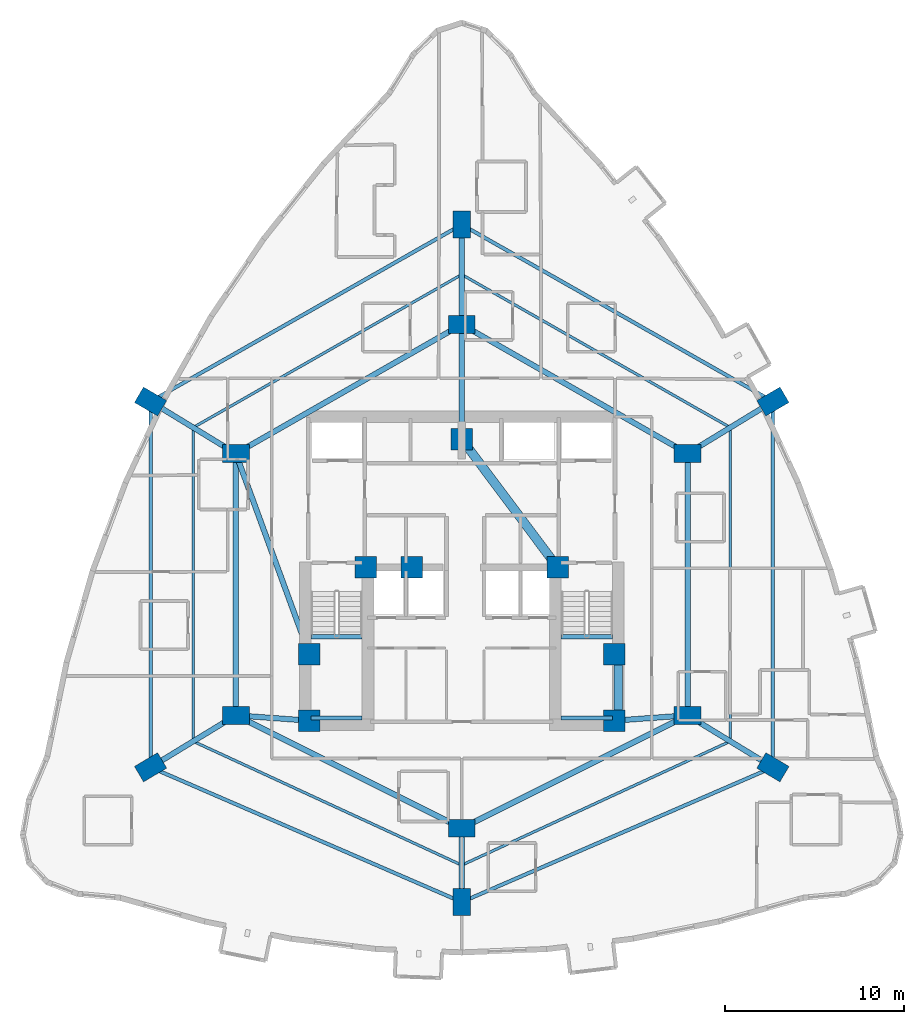
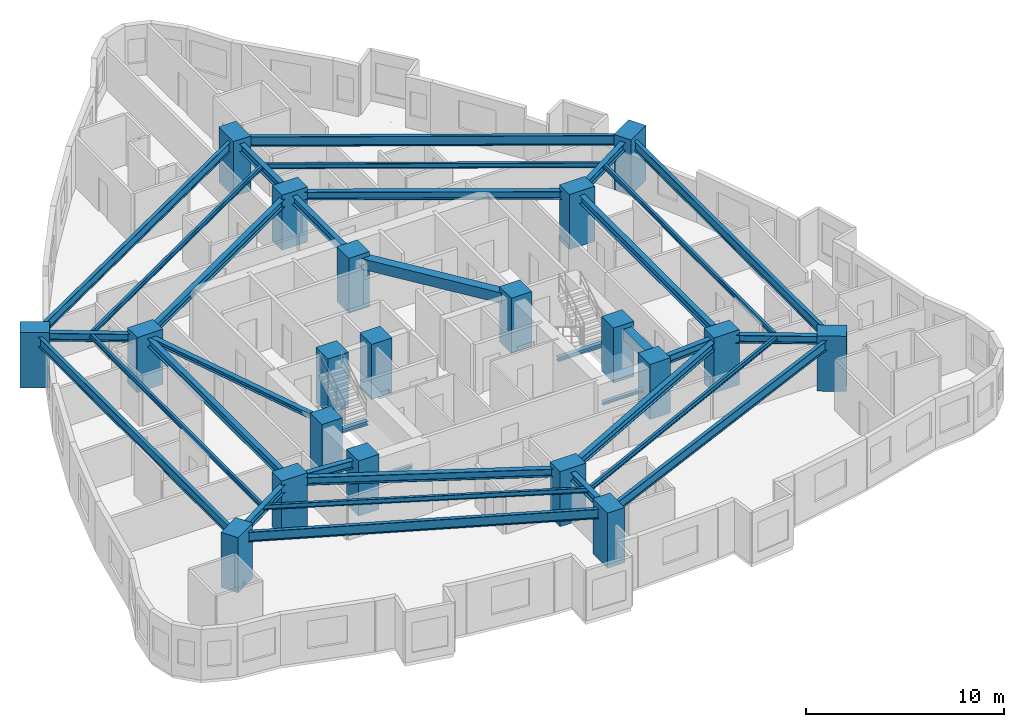
# One storey, part 1 of 13: 34 beams, 20 columns.
"""IFC4 building model written with IfcOpenShell, lengths in metres."""

import ifcopenshell
import ifcopenshell.guid

model = None  # the IFC model being written
_history = None  # IfcOwnerHistory: only IFC2X3 demands one
_inside = {}  # id of a spatial element -> (the spatial element, [elements in it])
_under = {}  # id of a project, library or spatial element -> (it, [spatial elements below it])
_declared = {}  # id of a project -> (the project, [libraries it declares])
_typed = {}  # id of a type object -> (the type object, [elements of that type])
_made_of = {}  # id of a material, layer set ... -> (it, [elements and type objects made of it])


def new_model(schema):
    """Start an empty IFC model of exactly this schema.

    Asked for "IFC4X3", IfcOpenShell would pick the latest addendum, in which some entities
    have other attributes; the version numbers below select the first issue.
    IFC2X3 requires an IfcOwnerHistory on every rooted entity: one is made here for all.
    """
    global model, _history
    if schema == "IFC4X3":
        model = ifcopenshell.file(schema_version=(4, 3, 0, 0))
    else:
        model = ifcopenshell.file(schema=schema)
    _inside.clear()
    _under.clear()
    _declared.clear()
    _typed.clear()
    _made_of.clear()
    _history = None
    if model.schema == "IFC2X3":
        org = make("IfcOrganization", Name="unknown")
        user = make(
            "IfcPersonAndOrganization",
            ThePerson=make("IfcPerson", FamilyName="unknown"),
            TheOrganization=org,
        )
        app = make(
            "IfcApplication",
            ApplicationDeveloper=org,
            Version="unknown",
            ApplicationFullName="unknown",
            ApplicationIdentifier="unknown",
        )
        _history = make(
            "IfcOwnerHistory",
            OwningUser=user,
            OwningApplication=app,
            ChangeAction="ADDED",
            CreationDate=0,
        )
    return model


def make(cls, **values):
    """One entity of the class cls with the attributes given. An attribute that is None is left unset."""
    return model.create_entity(
        cls, **{name: value for name, value in values.items() if value is not None}
    )


def rooted(cls, **values):
    """An entity with a GlobalId (a new one), such as an element, a storey or a relation."""
    return make(cls, GlobalId=ifcopenshell.guid.new(), OwnerHistory=_history, **values)


def si_unit(unit_type, name, prefix=None):
    """IfcSIUnit, for example si_unit("LENGTHUNIT", "METRE", prefix="MILLI")."""
    return make("IfcSIUnit", UnitType=unit_type, Prefix=prefix, Name=name)


def assignment(units):
    """IfcUnitAssignment: the units of a project."""
    return None if units is None else make("IfcUnitAssignment", Units=units)


def point(xyz):
    """IfcCartesianPoint."""
    return None if xyz is None else make("IfcCartesianPoint", Coordinates=xyz)


def direction(xyz):
    """IfcDirection."""
    return None if xyz is None else make("IfcDirection", DirectionRatios=xyz)


def frame(location, z_axis=None, x_axis=None):
    """IfcAxis2Placement3D, a coordinate frame: its origin and axes. An axis left out is left unset."""
    return make(
        "IfcAxis2Placement3D",
        Location=point(location),
        Axis=direction(z_axis),
        RefDirection=direction(x_axis),
    )


def frame_2d(location, x_axis=None):
    """IfcAxis2Placement2D, a coordinate frame in the plane: its origin and x axis."""
    return make(
        "IfcAxis2Placement2D", Location=point(location), RefDirection=direction(x_axis)
    )


def origin():
    """The frame at (0, 0, 0) with its axes left unset."""
    return frame((0.0, 0.0, 0.0))


def origin_2d():
    """The frame at (0, 0) in the plane with its x axis left unset."""
    return frame_2d((0.0, 0.0))


def place(relative_to, where):
    """IfcLocalPlacement: puts the frame where relative to a parent placement (None: the world)."""
    return make(
        "IfcLocalPlacement", PlacementRelTo=relative_to, RelativePlacement=where
    )


def context(
    kind, dimensions, precision=None, world=None, true_north=None, identifier=None
):
    """IfcGeometricRepresentationContext, for example the 3D "Model" context."""
    return make(
        "IfcGeometricRepresentationContext",
        ContextIdentifier=identifier,
        ContextType=kind,
        CoordinateSpaceDimension=dimensions,
        Precision=precision,
        WorldCoordinateSystem=world,
        TrueNorth=true_north,
    )


def subcontext(parent, identifier, kind, view, scale=None):
    """IfcGeometricRepresentationSubContext, for example "Body" below "Model"."""
    return make(
        "IfcGeometricRepresentationSubContext",
        ContextIdentifier=identifier,
        ContextType=kind,
        ParentContext=parent,
        TargetScale=scale,
        TargetView=view,
    )


def project(units=None, contexts=None):
    """IfcProject with its units and contexts."""
    return rooted(
        "IfcProject",
        Name="project",
        RepresentationContexts=contexts,
        UnitsInContext=assignment(units),
    )


def spatial(cls, under=None, at=None, **own):
    """A site, building, storey or space (cls), placed at a placement, below another one or the project."""
    s = rooted(cls, ObjectPlacement=at, **own)
    if under is not None:
        _under.setdefault(under.id(), (under, []))[1].append(s)
    return s


def profile(cls, at=None, kind="AREA", **sizes):
    """A parametric profile (cls). Its sizes go by their IFC names, for example OverallWidth=200.0."""
    return make(cls, ProfileType=kind, Position=at, **sizes)


def rectangle(**sizes):
    """IfcRectangleProfileDef."""
    return profile("IfcRectangleProfileDef", **sizes)


def i_section(**sizes):
    """IfcIShapeProfileDef."""
    return profile("IfcIShapeProfileDef", **sizes)


def extrude(swept, where, along, depth):
    """IfcExtrudedAreaSolid: the profile swept, set in the frame where, extruded along a direction by depth."""
    return make(
        "IfcExtrudedAreaSolid",
        SweptArea=swept,
        Position=where,
        ExtrudedDirection=direction(along),
        Depth=depth,
    )


def shape(context_of_items, identifier, shape_type, items):
    """IfcShapeRepresentation: the items that make up one representation, for example the "Body"."""
    return make(
        "IfcShapeRepresentation",
        ContextOfItems=context_of_items,
        RepresentationIdentifier=identifier,
        RepresentationType=shape_type,
        Items=items,
    )


def material(Name=None, Category=None):
    """IfcMaterial."""
    return make("IfcMaterial", Name=Name, Category=Category)


def material_profile(
    of_material, cross_section, Name=None, Category=None, Priority=None
):
    """IfcMaterialProfile: a cross section and its material."""
    return make(
        "IfcMaterialProfile",
        Name=Name,
        Material=of_material,
        Profile=cross_section,
        Priority=Priority,
        Category=Category,
    )


def profile_set(profiles, Name=None, composite=None):
    """IfcMaterialProfileSet."""
    return make(
        "IfcMaterialProfileSet",
        Name=Name,
        MaterialProfiles=profiles,
        CompositeProfile=composite,
    )


def made_of(thing, what):
    """Note that an element or type object is made of a material, layer set ...; save() writes the relation."""
    if what is not None:
        _made_of.setdefault(what.id(), (what, []))[1].append(thing)
    return thing


def type_object(cls, material=None, **own):
    """A type object (cls), such as IfcWallType, which elements share."""
    return made_of(rooted(cls, **own), material)


def element(
    cls,
    number,
    at=None,
    inside=None,
    cuts=None,
    type_object=None,
    material=None,
    context=None,
    identifier="Body",
    shape_type=None,
    held_by="IfcProductDefinitionShape",
    body=None,
    shapes=None,
    **own,
):
    """One element of the class cls, such as IfcWall. Its Tag is "e" and its number.

    at: its placement. inside: the storey or other place that contains it. cuts: it is an
    opening in that element (IfcRelVoidsElement). A single representation is given by context,
    identifier, shape_type and body (its items); several are given by shapes. held_by: the class
    of the entity that holds the representations. save() writes the other relations.
    """
    e = rooted(cls, Tag="e%d" % number, ObjectPlacement=at, **own)
    if body is not None:
        shapes = [shape(context, identifier, shape_type, body)]
    if shapes is not None:
        e.Representation = make(held_by, Representations=shapes)
    if inside is not None:
        _inside.setdefault(inside.id(), (inside, []))[1].append(e)
    if cuts is not None:
        rooted(
            "IfcRelVoidsElement", RelatingBuildingElement=cuts, RelatedOpeningElement=e
        )
    if type_object is not None:
        _typed.setdefault(type_object.id(), (type_object, []))[1].append(e)
    return made_of(e, material)


def aggregate(whole, parts):
    """IfcRelAggregates: a whole, such as a stair, and the parts it consists of."""
    return rooted("IfcRelAggregates", RelatingObject=whole, RelatedObjects=parts)


def save(model, path):
    """Write the relations noted so far, then the file.

    IfcRelAggregates (storeys below a building ...), IfcRelContainedInSpatialStructure (elements
    in a storey), IfcRelDefinesByType, IfcRelAssociatesMaterial and IfcRelDeclares: one each for
    every whole, place, type object, material and project.
    """
    for whole, parts in _under.values():
        aggregate(whole, parts)
    for where, things in _inside.values():
        rooted(
            "IfcRelContainedInSpatialStructure",
            RelatedElements=things,
            RelatingStructure=where,
        )
    for kind, things in _typed.values():
        rooted("IfcRelDefinesByType", RelatedObjects=things, RelatingType=kind)
    for what, things in _made_of.values():
        rooted("IfcRelAssociatesMaterial", RelatedObjects=things, RelatingMaterial=what)
    for by, libraries in _declared.values():
        rooted("IfcRelDeclares", RelatingContext=by, RelatedDefinitions=libraries)
    model.write(path)


model = new_model("IFC4")

# Units and contexts
model_context = context("Model", 3, precision=1e-05, world=origin(), true_north=direction((0.0, 1.0)))
body_context = subcontext(model_context, "Body", "Model", "MODEL_VIEW")
ifc_project = project(units=[si_unit("LENGTHUNIT", "METRE"), si_unit("AREAUNIT", "SQUARE_METRE"), si_unit("VOLUMEUNIT", "CUBIC_METRE"), si_unit("PLANEANGLEUNIT", "RADIAN"), si_unit("MASSUNIT", "GRAM", prefix="KILO")], contexts=[model_context])

# Site, building, storey
site_placement = place(None, origin())
site = spatial("IfcSite", under=ifc_project, at=site_placement, CompositionType="ELEMENT")
building_placement = place(site_placement, origin())
building = spatial("IfcBuilding", under=site, at=building_placement, Name="Miruveldt Soraemaru", CompositionType="ELEMENT")
storey_placement = place(building_placement, frame((0.0, 0.0, 59.800048828125)))
storey = spatial("IfcBuildingStorey", under=building, at=storey_placement, Name="L16", CompositionType="ELEMENT", Elevation=59.800048828125)

# Columns
ifc_material_1 = material(Name="Concrete C70/85 (70 MPa)", Category="concrete")
ifc_material_profile_1 = material_profile(ifc_material_1, rectangle(XDim=1.199951171875, YDim=1.199951171875, at=origin_2d()), Name="Concrete C70/85 (70 MPa)", Category="concrete")
ifc_profile_set_1 = profile_set([ifc_material_profile_1], Name="Concrete C70/85 (70 MPa)")
column_type_1 = type_object("IfcColumnType", Name="COL-CORE-1200", PredefinedType="COLUMN", material=ifc_profile_set_1)
for number, where, z_axis, x_axis, name in (
    (1, (35.5, 35.5, 0.0), (0.0, 0.0, 1.0), (1.0, 0.0, 0.0), "L16 Structural Column CC1"),
    (2, (38.64990234375, 44.050048828125, 0.0), (0.0, 0.0, 1.0), (1.0, 0.0, 0.0), "L16 Structural Column CC2"),
    (3, (52.5, 35.5, 0.0), (0.0, 0.0, 1.0), (1.0, 0.0, 0.0), "L16 Structural Column CC3"),
    (4, (52.5, 39.199951171875, 0.0), (0.0, 0.0, 1.0), (1.0, 0.0, 0.0), "L16 Structural Column CC4"),
    (5, (49.35009765625, 44.050048828125, 0.0), (0.0, 0.0, 1.0), (1.0, 0.0, 0.0), "L16 Structural Column CC5"),
    (6, (44.0, 51.199951171875, 0.0), (0.0, 0.0, 1.0), (1.0, 0.0, 0.0), "L16 Structural Column CC6"),
    (7, (35.5, 39.199951171875, 0.0), (0.0, 0.0, 1.0), (1.0, 0.0, 0.0), "L16 Structural Column CC7"),
    (8, (41.199951171875, 44.050048828125, 0.0), (0.0, 0.0, 1.0), (1.0, 0.0, 0.0), "L16 Structural Column CC8"),
):
    element("IfcColumn", number, at=place(storey_placement, frame(where, z_axis=z_axis, x_axis=x_axis)), inside=storey, type_object=column_type_1, Name=name, PredefinedType="COLUMN", context=body_context, shape_type="SweptSolid", body=[
        extrude(rectangle(XDim=1.199951171875, YDim=1.199951171875, at=origin_2d()), origin(), (0.0, 0.0, 1.0), 3.39990234375),
    ])
ifc_material_2 = material(Name="Concrete C80/95 (80 MPa)", Category="concrete")
ifc_material_profile_2 = material_profile(ifc_material_2, rectangle(XDim=1.5, YDim=1.0, at=origin_2d()), Name="Concrete C80/95 (80 MPa)", Category="concrete")
ifc_profile_set_2 = profile_set([ifc_material_profile_2], Name="Concrete C80/95 (80 MPa)")
column_type_2 = type_object("IfcColumnType", Name="COL-TW-Z1A", PredefinedType="COLUMN", material=ifc_profile_set_2)
for number, where, z_axis, x_axis, name in (
    (9, (44.0, 57.60009765625, 0.0), (0.0, 0.0, 1.0), (1.0, 0.0, 0.0), "L16 Structural Column IR01"),
    (10, (56.60009765625, 50.39990234375, 0.0), (0.0, 0.0, 1.0), (1.0, 0.0, 0.0), "L16 Structural Column IR02"),
    (11, (56.60009765625, 35.800048828125, 0.0), (0.0, 0.0, 1.0), (1.0, 0.0, 0.0), "L16 Structural Column IR03"),
    (12, (44.0, 29.5, 0.0), (0.0, 0.0, 1.0), (1.0, 0.0, 0.0), "L16 Structural Column IR04"),
    (13, (31.39990234375, 35.800048828125, 0.0), (0.0, 0.0, 1.0), (1.0, 0.0, 0.0), "L16 Structural Column IR05"),
    (14, (31.39990234375, 50.39990234375, 0.0), (0.0, 0.0, 1.0), (1.0, 0.0, 0.0), "L16 Structural Column IR06"),
    (15, (44.0, 63.16796875, 0.0), (0.0, 0.0, 1.0), (0.0, 1.0, 0.0), "L16 Structural Column Z1P01"),
    (16, (61.35595703125, 53.300048828125, 0.0), (0.0, 0.0, 1.0), (0.864274801954, 0.50301994663, 0.0), "L16 Structural Column Z1P02"),
    (17, (61.35595703125, 32.89990234375, 0.0), (0.0, 0.0, 1.0), (-0.859852271597, 0.510542917912, 0.0), "L16 Structural Column Z1P03"),
    (18, (44.0, 25.382080078125, 0.0), (0.0, 0.0, 1.0), (0.0, 1.0, 0.0), "L16 Structural Column Z1P04"),
    (19, (26.64404296875, 32.89990234375, 0.0), (0.0, 0.0, 1.0), (0.859852271597, 0.510542917912, 0.0), "L16 Structural Column Z1P05"),
    (20, (26.64404296875, 53.300048828125, 0.0), (0.0, 0.0, 1.0), (-0.864274801954, 0.50301994663, 0.0), "L16 Structural Column Z1P06"),
):
    element("IfcColumn", number, at=place(storey_placement, frame(where, z_axis=z_axis, x_axis=x_axis)), inside=storey, type_object=column_type_2, Name=name, PredefinedType="COLUMN", context=body_context, shape_type="SweptSolid", body=[
        extrude(rectangle(XDim=1.5, YDim=1.0, at=origin_2d()), origin(), (0.0, 0.0, 1.0), 3.39990234375),
    ])

# Beams
ifc_material_3 = material(Name="Steel SM355 (355 MPa)", Category="steel")
ifc_material_profile_3 = material_profile(ifc_material_3, i_section(OverallWidth=0.300048828125, OverallDepth=0.300048828125, WebThickness=0.010009765625, FlangeThickness=0.014892578125, FilletRadius=0.01806640625, at=origin_2d()), Name="Steel SM355 (355 MPa)", Category="steel")
ifc_profile_set_3 = profile_set([ifc_material_profile_3], Name="Steel SM355 (355 MPa)")
beam_type_1 = type_object("IfcBeamType", Name="BM-LNT-H300", PredefinedType="LINTEL", material=ifc_profile_set_3)
beam_1_placement = place(storey_placement, frame((31.39990234375, 50.39990234375, 2.974853515625), z_axis=(0.343770424598, -0.939053723262, 0.0), x_axis=(0.939053723262, 0.343770424598, 0.0)))
element("IfcBeam", 21, at=beam_1_placement, inside=storey, type_object=beam_type_1, Name="L16 West Lobby Lintel", PredefinedType="LINTEL", context=body_context, shape_type="SweptSolid", body=[
    extrude(i_section(OverallWidth=0.300048828125, OverallDepth=0.300048828125, WebThickness=0.010009765625, FlangeThickness=0.014892578125, FilletRadius=0.01806640625, at=origin_2d()), origin(), (0.0, 0.0, 1.0), 11.9267578125),
])
ifc_material_4 = material(Name="Concrete C50/60 (50 MPa)", Category="concrete")
ifc_material_profile_4 = material_profile(ifc_material_4, rectangle(XDim=0.5, YDim=0.64990234375, at=origin_2d()), Name="Concrete C50/60 (50 MPa)", Category="concrete")
ifc_profile_set_4 = profile_set([ifc_material_profile_4], Name="Concrete C50/60 (50 MPa)")
beam_type_2 = type_object("IfcBeamType", Name="BM-RC-500x650", PredefinedType="BEAM", material=ifc_profile_set_4)
beam_2_placement = place(storey_placement, frame((52.72998046875, 35.5, 2.800048828125), z_axis=(0.0, 1.0, 0.0), x_axis=(-1.0, 0.0, 0.0)))
element("IfcBeam", 22, at=beam_2_placement, inside=storey, type_object=beam_type_2, Name="L16 Core Tie Beam 3", PredefinedType="BEAM", context=body_context, shape_type="SweptSolid", body=[
    extrude(rectangle(XDim=0.5, YDim=0.64990234375, at=origin_2d()), origin(), (0.0, 0.0, 1.0), 3.699951171875),
])
beam_3_placement = place(storey_placement, frame((49.35009765625, 44.050048828125, 2.800048828125), z_axis=(-0.599116023999, 0.800662219533, 0.0), x_axis=(-0.800662219533, -0.599116023999, 0.0)))
element("IfcBeam", 23, at=beam_3_placement, inside=storey, type_object=beam_type_2, Name="L16 Core Tie Beam 5", PredefinedType="BEAM", context=body_context, shape_type="SweptSolid", body=[
    extrude(rectangle(XDim=0.5, YDim=0.64990234375, at=origin_2d()), origin(), (0.0, 0.0, 1.0), 8.929931640625),
])
ifc_material_profile_5 = material_profile(ifc_material_3, i_section(OverallWidth=0.14990234375, OverallDepth=0.300048828125, WebThickness=0.006591796875, FlangeThickness=0.009033203125, FilletRadius=0.012939453125, at=origin_2d()), Name="Steel SM355 (355 MPa)", Category="steel")
ifc_profile_set_5 = profile_set([ifc_material_profile_5], Name="Steel SM355 (355 MPa)")
beam_type_3 = type_object("IfcBeamType", Name="BM-ST-H300", PredefinedType="JOIST", material=ifc_profile_set_5)
beam_4_placement = place(storey_placement, frame((44.0, 60.384033203125, 2.974853515625), z_axis=(0.868865604585, -0.495048039254, 0.0), x_axis=(0.495048039254, 0.868865604585, 0.0)))
element("IfcBeam", 24, at=beam_4_placement, inside=storey, type_object=beam_type_3, Name="L16 Outer Bay Floor Joist 1", PredefinedType="JOIST", context=body_context, shape_type="SweptSolid", body=[
    extrude(i_section(OverallWidth=0.14990234375, OverallDepth=0.300048828125, WebThickness=0.006591796875, FlangeThickness=0.009033203125, FilletRadius=0.012939453125, at=origin_2d()), origin(), (0.0, 0.0, 1.0), 17.238525390625),
])
beam_5_placement = place(storey_placement, frame((58.97802734375, 51.85009765625, 2.974853515625), z_axis=(0.0, -1.0, 0.0), x_axis=(1.0, 0.0, 0.0)))
element("IfcBeam", 25, at=beam_5_placement, inside=storey, type_object=beam_type_3, Name="L16 Outer Bay Floor Joist 2", PredefinedType="JOIST", context=body_context, shape_type="SweptSolid", body=[
    extrude(i_section(OverallWidth=0.14990234375, OverallDepth=0.300048828125, WebThickness=0.006591796875, FlangeThickness=0.009033203125, FilletRadius=0.012939453125, at=origin_2d()), origin(), (0.0, 0.0, 1.0), 17.5),
])
for number, where, z_axis, x_axis, name in (
    (26, (58.97802734375, 34.35009765625, 2.974853515625), (-0.908046005539, -0.418870447543, 0.0), (0.418870447543, -0.908046005539, 0.0), "L16 Outer Bay Floor Joist 3"),
    (27, (44.0, 27.44091796875, 2.974853515625), (-0.908046005539, 0.418870447543, 0.0), (-0.418870447543, -0.908046005539, 0.0), "L16 Outer Bay Floor Joist 4"),
):
    element("IfcBeam", number, at=place(storey_placement, frame(where, z_axis=z_axis, x_axis=x_axis)), inside=storey, type_object=beam_type_3, Name=name, PredefinedType="JOIST", context=body_context, shape_type="SweptSolid", body=[
        extrude(i_section(OverallWidth=0.14990234375, OverallDepth=0.300048828125, WebThickness=0.006591796875, FlangeThickness=0.009033203125, FilletRadius=0.012939453125, at=origin_2d()), origin(), (0.0, 0.0, 1.0), 16.494873046875),
    ])
beam_6_placement = place(storey_placement, frame((29.02197265625, 34.35009765625, 2.974853515625), z_axis=(0.0, 1.0, 0.0), x_axis=(-1.0, 0.0, 0.0)))
element("IfcBeam", 28, at=beam_6_placement, inside=storey, type_object=beam_type_3, Name="L16 Outer Bay Floor Joist 5", PredefinedType="JOIST", context=body_context, shape_type="SweptSolid", body=[
    extrude(i_section(OverallWidth=0.14990234375, OverallDepth=0.300048828125, WebThickness=0.006591796875, FlangeThickness=0.009033203125, FilletRadius=0.012939453125, at=origin_2d()), origin(), (0.0, 0.0, 1.0), 17.5),
])
beam_7_placement = place(storey_placement, frame((29.02197265625, 51.85009765625, 2.974853515625), z_axis=(0.868865604585, 0.495048039254, 0.0), x_axis=(-0.495048039254, 0.868865604585, 0.0)))
element("IfcBeam", 29, at=beam_7_placement, inside=storey, type_object=beam_type_3, Name="L16 Outer Bay Floor Joist 6", PredefinedType="JOIST", context=body_context, shape_type="SweptSolid", body=[
    extrude(i_section(OverallWidth=0.14990234375, OverallDepth=0.300048828125, WebThickness=0.006591796875, FlangeThickness=0.009033203125, FilletRadius=0.012939453125, at=origin_2d()), origin(), (0.0, 0.0, 1.0), 17.238525390625),
])
ifc_material_profile_6 = material_profile(ifc_material_3, i_section(OverallWidth=0.300048828125, OverallDepth=0.488037109375, WebThickness=0.010986328125, FlangeThickness=0.01806640625, FilletRadius=0.02587890625, at=origin_2d()), Name="Steel SM355 (355 MPa)", Category="steel")
ifc_profile_set_6 = profile_set([ifc_material_profile_6], Name="Steel SM355 (355 MPa)")
beam_type_4 = type_object("IfcBeamType", Name="BM-ST-H488", PredefinedType="BEAM", material=ifc_profile_set_6)
beam_8_placement = place(storey_placement, frame((44.0, 57.60009765625, 2.880859375), z_axis=(0.868239001029, -0.496146185203, 0.0), x_axis=(0.496146185203, 0.868239001029, 0.0)))
element("IfcBeam", 30, at=beam_8_placement, inside=storey, type_object=beam_type_4, Name="L16 Inner Ring Girder 1", PredefinedType="BEAM", context=body_context, shape_type="SweptSolid", body=[
    extrude(i_section(OverallWidth=0.300048828125, OverallDepth=0.488037109375, WebThickness=0.010986328125, FlangeThickness=0.01806640625, FilletRadius=0.02587890625, at=origin_2d()), origin(), (0.0, 0.0, 1.0), 14.51220703125),
])
beam_9_placement = place(storey_placement, frame((44.0, 51.199951171875, 2.880859375), z_axis=(0.0, 1.0, 0.0), x_axis=(-1.0, 0.0, 0.0)))
element("IfcBeam", 31, at=beam_9_placement, inside=storey, type_object=beam_type_4, Name="L16 Core-to-Inner Radial Girder 1", PredefinedType="BEAM", context=body_context, shape_type="SweptSolid", body=[
    extrude(i_section(OverallWidth=0.300048828125, OverallDepth=0.488037109375, WebThickness=0.010986328125, FlangeThickness=0.01806640625, FilletRadius=0.02587890625, at=origin_2d()), origin(), (0.0, 0.0, 1.0), 6.400146484375),
])
beam_10_placement = place(storey_placement, frame((56.60009765625, 50.39990234375, 2.880859375), z_axis=(0.0, -1.0, 0.0), x_axis=(1.0, 0.0, 0.0)))
element("IfcBeam", 32, at=beam_10_placement, inside=storey, type_object=beam_type_4, Name="L16 Inner Ring Girder 2", PredefinedType="BEAM", context=body_context, shape_type="SweptSolid", body=[
    extrude(i_section(OverallWidth=0.300048828125, OverallDepth=0.488037109375, WebThickness=0.010986328125, FlangeThickness=0.01806640625, FilletRadius=0.02587890625, at=origin_2d()), origin(), (0.0, 0.0, 1.0), 14.599853515625),
])
beam_11_placement = place(storey_placement, frame((56.60009765625, 35.800048828125, 2.880859375), z_axis=(-0.894427191, -0.4472135955, 0.0), x_axis=(0.4472135955, -0.894427191, 0.0)))
element("IfcBeam", 33, at=beam_11_placement, inside=storey, type_object=beam_type_4, Name="L16 Inner Ring Girder 3", PredefinedType="BEAM", context=body_context, shape_type="SweptSolid", body=[
    extrude(i_section(OverallWidth=0.300048828125, OverallDepth=0.488037109375, WebThickness=0.010986328125, FlangeThickness=0.01806640625, FilletRadius=0.02587890625, at=origin_2d()), origin(), (0.0, 0.0, 1.0), 14.08740234375),
])
beam_12_placement = place(storey_placement, frame((52.5, 35.5, 2.880859375), z_axis=(0.997332985605, 0.072985723431, 0.0), x_axis=(-0.072985723431, 0.997332985605, 0.0)))
element("IfcBeam", 34, at=beam_12_placement, inside=storey, type_object=beam_type_4, Name="L16 Core-to-Inner Radial Girder 3", PredefinedType="BEAM", context=body_context, shape_type="SweptSolid", body=[
    extrude(i_section(OverallWidth=0.300048828125, OverallDepth=0.488037109375, WebThickness=0.010986328125, FlangeThickness=0.01806640625, FilletRadius=0.02587890625, at=origin_2d()), origin(), (0.0, 0.0, 1.0), 4.111083984375),
])
beam_13_placement = place(storey_placement, frame((44.0, 29.5, 2.880859375), z_axis=(-0.894427191, 0.4472135955, 0.0), x_axis=(-0.4472135955, -0.894427191, 0.0)))
element("IfcBeam", 35, at=beam_13_placement, inside=storey, type_object=beam_type_4, Name="L16 Inner Ring Girder 4", PredefinedType="BEAM", context=body_context, shape_type="SweptSolid", body=[
    extrude(i_section(OverallWidth=0.300048828125, OverallDepth=0.488037109375, WebThickness=0.010986328125, FlangeThickness=0.01806640625, FilletRadius=0.02587890625, at=origin_2d()), origin(), (0.0, 0.0, 1.0), 14.08740234375),
])
beam_14_placement = place(storey_placement, frame((31.39990234375, 35.800048828125, 2.880859375), z_axis=(0.0, 1.0, 0.0), x_axis=(-1.0, 0.0, 0.0)))
element("IfcBeam", 36, at=beam_14_placement, inside=storey, type_object=beam_type_4, Name="L16 Inner Ring Girder 5", PredefinedType="BEAM", context=body_context, shape_type="SweptSolid", body=[
    extrude(i_section(OverallWidth=0.300048828125, OverallDepth=0.488037109375, WebThickness=0.010986328125, FlangeThickness=0.01806640625, FilletRadius=0.02587890625, at=origin_2d()), origin(), (0.0, 0.0, 1.0), 14.599853515625),
])
beam_15_placement = place(storey_placement, frame((35.5, 35.5, 2.880859375), z_axis=(-0.997332985605, 0.072985723431, 0.0), x_axis=(-0.072985723431, -0.997332985605, 0.0)))
element("IfcBeam", 37, at=beam_15_placement, inside=storey, type_object=beam_type_4, Name="L16 Core-to-Inner Radial Girder 5", PredefinedType="BEAM", context=body_context, shape_type="SweptSolid", body=[
    extrude(i_section(OverallWidth=0.300048828125, OverallDepth=0.488037109375, WebThickness=0.010986328125, FlangeThickness=0.01806640625, FilletRadius=0.02587890625, at=origin_2d()), origin(), (0.0, 0.0, 1.0), 4.111083984375),
])
beam_16_placement = place(storey_placement, frame((31.39990234375, 50.39990234375, 2.880859375), z_axis=(0.868239001029, 0.496146185203, 0.0), x_axis=(-0.496146185203, 0.868239001029, 0.0)))
element("IfcBeam", 38, at=beam_16_placement, inside=storey, type_object=beam_type_4, Name="L16 Inner Ring Girder 6", PredefinedType="BEAM", context=body_context, shape_type="SweptSolid", body=[
    extrude(i_section(OverallWidth=0.300048828125, OverallDepth=0.488037109375, WebThickness=0.010986328125, FlangeThickness=0.01806640625, FilletRadius=0.02587890625, at=origin_2d()), origin(), (0.0, 0.0, 1.0), 14.51220703125),
])
beam_17_placement = place(storey_placement, frame((44.0, 57.60009765625, 2.880859375), z_axis=(0.0, 1.0, 0.0), x_axis=(-1.0, 0.0, 0.0)))
element("IfcBeam", 39, at=beam_17_placement, inside=storey, type_object=beam_type_4, Name="L16 Zone-1 Radial Girder 1", PredefinedType="BEAM", context=body_context, shape_type="SweptSolid", body=[
    extrude(i_section(OverallWidth=0.300048828125, OverallDepth=0.488037109375, WebThickness=0.010986328125, FlangeThickness=0.01806640625, FilletRadius=0.02587890625, at=origin_2d()), origin(), (0.0, 0.0, 1.0), 5.56787109375),
])
for number, where, z_axis, x_axis, name in (
    (40, (56.60009765625, 50.39990234375, 2.880859375), (0.853777644156, 0.520637814935, 0.0), (-0.520637814935, 0.853777644156, 0.0), "L16 Zone-1 Radial Girder 2"),
    (41, (56.60009765625, 35.800048828125, 2.880859375), (0.853777644156, -0.520637814935, 0.0), (0.520637814935, 0.853777644156, 0.0), "L16 Zone-1 Radial Girder 3"),
):
    element("IfcBeam", number, at=place(storey_placement, frame(where, z_axis=z_axis, x_axis=x_axis)), inside=storey, type_object=beam_type_4, Name=name, PredefinedType="BEAM", context=body_context, shape_type="SweptSolid", body=[
        extrude(i_section(OverallWidth=0.300048828125, OverallDepth=0.488037109375, WebThickness=0.010986328125, FlangeThickness=0.01806640625, FilletRadius=0.02587890625, at=origin_2d()), origin(), (0.0, 0.0, 1.0), 5.5703125),
    ])
beam_18_placement = place(storey_placement, frame((44.0, 29.5, 2.880859375), z_axis=(0.0, -1.0, 0.0), x_axis=(1.0, 0.0, 0.0)))
element("IfcBeam", 42, at=beam_18_placement, inside=storey, type_object=beam_type_4, Name="L16 Zone-1 Radial Girder 4", PredefinedType="BEAM", context=body_context, shape_type="SweptSolid", body=[
    extrude(i_section(OverallWidth=0.300048828125, OverallDepth=0.488037109375, WebThickness=0.010986328125, FlangeThickness=0.01806640625, FilletRadius=0.02587890625, at=origin_2d()), origin(), (0.0, 0.0, 1.0), 4.117919921875),
])
for number, where, z_axis, x_axis, name in (
    (43, (31.39990234375, 35.800048828125, 2.880859375), (-0.853777644156, -0.520637814935, 0.0), (0.520637814935, -0.853777644156, 0.0), "L16 Zone-1 Radial Girder 5"),
    (44, (31.39990234375, 50.39990234375, 2.880859375), (-0.853777644156, 0.520637814935, 0.0), (-0.520637814935, -0.853777644156, 0.0), "L16 Zone-1 Radial Girder 6"),
):
    element("IfcBeam", number, at=place(storey_placement, frame(where, z_axis=z_axis, x_axis=x_axis)), inside=storey, type_object=beam_type_4, Name=name, PredefinedType="BEAM", context=body_context, shape_type="SweptSolid", body=[
        extrude(i_section(OverallWidth=0.300048828125, OverallDepth=0.488037109375, WebThickness=0.010986328125, FlangeThickness=0.01806640625, FilletRadius=0.02587890625, at=origin_2d()), origin(), (0.0, 0.0, 1.0), 5.5703125),
    ])
ifc_material_profile_7 = material_profile(ifc_material_3, i_section(OverallWidth=0.199951171875, OverallDepth=0.60009765625, WebThickness=0.010986328125, FlangeThickness=0.01708984375, FilletRadius=0.02197265625, at=origin_2d()), Name="Steel SM355 (355 MPa)", Category="steel")
ifc_profile_set_7 = profile_set([ifc_material_profile_7], Name="Steel SM355 (355 MPa)")
beam_type_5 = type_object("IfcBeamType", Name="BM-ST-H600", PredefinedType="SPANDREL", material=ifc_profile_set_7)
beam_19_placement = place(storey_placement, frame((44.0, 63.16796875, 2.824951171875), z_axis=(0.869314947608, -0.494258557706, 0.0), x_axis=(0.494258557706, 0.869314947608, 0.0)))
element("IfcBeam", 45, at=beam_19_placement, inside=storey, type_object=beam_type_5, Name="L16 Zone-1 Spandrel Beam 1", PredefinedType="SPANDREL", context=body_context, shape_type="SweptSolid", body=[
    extrude(i_section(OverallWidth=0.199951171875, OverallDepth=0.60009765625, WebThickness=0.010986328125, FlangeThickness=0.01708984375, FilletRadius=0.02197265625, at=origin_2d()), origin(), (0.0, 0.0, 1.0), 19.965087890625),
])
beam_20_placement = place(storey_placement, frame((61.35595703125, 53.300048828125, 2.824951171875), z_axis=(0.0, -1.0, 0.0), x_axis=(1.0, 0.0, 0.0)))
element("IfcBeam", 46, at=beam_20_placement, inside=storey, type_object=beam_type_5, Name="L16 Zone-1 Spandrel Beam 2", PredefinedType="SPANDREL", context=body_context, shape_type="SweptSolid", body=[
    extrude(i_section(OverallWidth=0.199951171875, OverallDepth=0.60009765625, WebThickness=0.010986328125, FlangeThickness=0.01708984375, FilletRadius=0.02197265625, at=origin_2d()), origin(), (0.0, 0.0, 1.0), 20.400146484375),
])
for number, where, z_axis, x_axis, name in (
    (47, (61.35595703125, 32.89990234375, 2.824951171875), (-0.917615263736, -0.397469782195, 0.0), (0.397469782195, -0.917615263736, 0.0), "L16 Zone-1 Spandrel Beam 3"),
    (48, (44.0, 25.382080078125, 2.824951171875), (-0.917615263736, 0.397469782195, 0.0), (-0.397469782195, -0.917615263736, 0.0), "L16 Zone-1 Spandrel Beam 4"),
):
    element("IfcBeam", number, at=place(storey_placement, frame(where, z_axis=z_axis, x_axis=x_axis)), inside=storey, type_object=beam_type_5, Name=name, PredefinedType="SPANDREL", context=body_context, shape_type="SweptSolid", body=[
        extrude(i_section(OverallWidth=0.199951171875, OverallDepth=0.60009765625, WebThickness=0.010986328125, FlangeThickness=0.01708984375, FilletRadius=0.02197265625, at=origin_2d()), origin(), (0.0, 0.0, 1.0), 18.914306640625),
    ])
beam_21_placement = place(storey_placement, frame((26.64404296875, 32.89990234375, 2.824951171875), z_axis=(0.0, 1.0, 0.0), x_axis=(-1.0, 0.0, 0.0)))
element("IfcBeam", 49, at=beam_21_placement, inside=storey, type_object=beam_type_5, Name="L16 Zone-1 Spandrel Beam 5", PredefinedType="SPANDREL", context=body_context, shape_type="SweptSolid", body=[
    extrude(i_section(OverallWidth=0.199951171875, OverallDepth=0.60009765625, WebThickness=0.010986328125, FlangeThickness=0.01708984375, FilletRadius=0.02197265625, at=origin_2d()), origin(), (0.0, 0.0, 1.0), 20.400146484375),
])
beam_22_placement = place(storey_placement, frame((26.64404296875, 53.300048828125, 2.824951171875), z_axis=(0.869314947608, 0.494258557706, 0.0), x_axis=(-0.494258557706, 0.869314947608, 0.0)))
element("IfcBeam", 50, at=beam_22_placement, inside=storey, type_object=beam_type_5, Name="L16 Zone-1 Spandrel Beam 6", PredefinedType="SPANDREL", context=body_context, shape_type="SweptSolid", body=[
    extrude(i_section(OverallWidth=0.199951171875, OverallDepth=0.60009765625, WebThickness=0.010986328125, FlangeThickness=0.01708984375, FilletRadius=0.02197265625, at=origin_2d()), origin(), (0.0, 0.0, 1.0), 19.965087890625),
])
ifc_material_profile_8 = material_profile(ifc_material_3, i_section(OverallWidth=0.199951171875, OverallDepth=0.199951171875, WebThickness=0.008056640625, FlangeThickness=0.011962890625, FilletRadius=0.012939453125, at=origin_2d()), Name="Steel SM355 (355 MPa)", Category="steel")
ifc_profile_set_8 = profile_set([ifc_material_profile_8], Name="Steel SM355 (355 MPa)")
beam_type_6 = type_object("IfcBeamType", Name="BM-ST-LND200", PredefinedType="BEAM", material=ifc_profile_set_8)
for number, where, z_axis, x_axis, name in (
    (51, (35.60009765625, 35.64990234375, 1.39990234375), (1.0, 0.0, 0.0), (0.0, 1.0, 0.0), "L16 ST1 Landing End Beam 1B"),
    (52, (49.550048828125, 35.64990234375, 1.39990234375), (1.0, 0.0, 0.0), (0.0, 1.0, 0.0), "L16 ST2 Landing End Beam 1B"),
):
    element("IfcBeam", number, at=place(storey_placement, frame(where, z_axis=z_axis, x_axis=x_axis)), inside=storey, type_object=beam_type_6, Name=name, PredefinedType="BEAM", context=body_context, shape_type="SweptSolid", body=[
        extrude(i_section(OverallWidth=0.199951171875, OverallDepth=0.199951171875, WebThickness=0.008056640625, FlangeThickness=0.011962890625, FilletRadius=0.012939453125, at=origin_2d()), origin(), (0.0, 0.0, 1.0), 2.849853515625),
    ])
ifc_material_profile_9 = material_profile(ifc_material_3, i_section(OverallWidth=0.25, OverallDepth=0.25, WebThickness=0.009033203125, FlangeThickness=0.013916015625, FilletRadius=0.01611328125, at=origin_2d()), Name="Steel SM355 (355 MPa)", Category="steel")
ifc_profile_set_9 = profile_set([ifc_material_profile_9], Name="Steel SM355 (355 MPa)")
beam_type_7 = type_object("IfcBeamType", Name="BM-ST-LND250", PredefinedType="BEAM", material=ifc_profile_set_9)
for number, where, z_axis, x_axis, name in (
    (53, (35.60009765625, 40.179931640625, 1.375), (1.0, 0.0, 0.0), (0.0, 1.0, 0.0), "L16 ST1 Landing Support Beam 1A"),
    (54, (49.550048828125, 40.179931640625, 1.375), (1.0, 0.0, 0.0), (0.0, 1.0, 0.0), "L16 ST2 Landing Support Beam 1A"),
):
    element("IfcBeam", number, at=place(storey_placement, frame(where, z_axis=z_axis, x_axis=x_axis)), inside=storey, type_object=beam_type_7, Name=name, PredefinedType="BEAM", context=body_context, shape_type="SweptSolid", body=[
        extrude(i_section(OverallWidth=0.25, OverallDepth=0.25, WebThickness=0.009033203125, FlangeThickness=0.013916015625, FilletRadius=0.01611328125, at=origin_2d()), origin(), (0.0, 0.0, 1.0), 2.849853515625),
    ])

save(model, "model.ifc")
